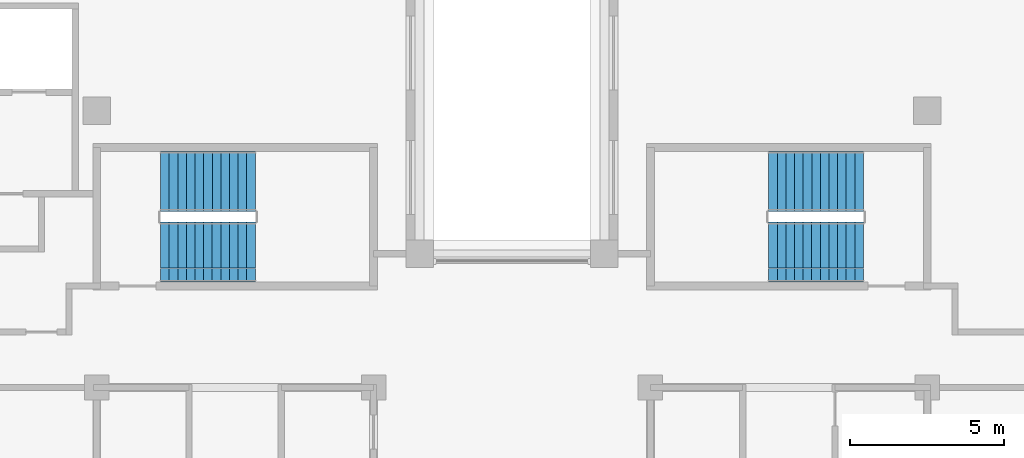
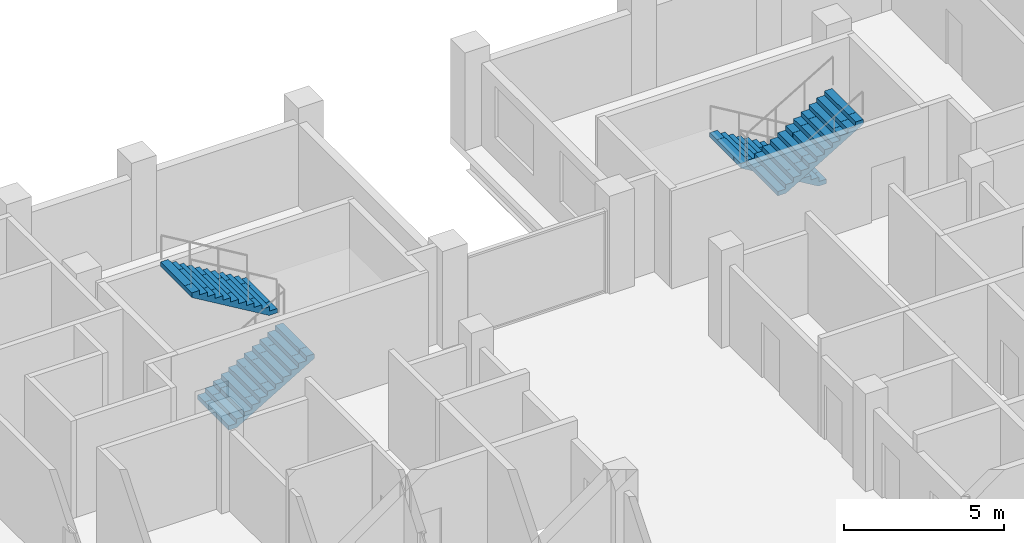
# One storey, part 12 of 13: 4 stair flights, 2 elements without a shape of their own.
"""IFC4 building model written with IfcOpenShell, lengths in metres."""

from ifc_helpers import new_model, si_unit, direction, frame, origin, place, context, subcontext, project, spatial, polyline, outline, extrude, material, type_object, element, aggregate, save


model = new_model("IFC4")

# Units and contexts
model_context = context("Model", 3, precision=1e-05, world=origin(), true_north=direction((0.0, 1.0)))
body_context = subcontext(model_context, "Body", "Model", "MODEL_VIEW")
ifc_project = project(units=[si_unit("LENGTHUNIT", "METRE"), si_unit("AREAUNIT", "SQUARE_METRE"), si_unit("VOLUMEUNIT", "CUBIC_METRE"), si_unit("PLANEANGLEUNIT", "RADIAN"), si_unit("MASSUNIT", "GRAM", prefix="KILO")], contexts=[model_context])

# Site, building, storey
site_placement = place(None, origin())
site = spatial("IfcSite", under=ifc_project, at=site_placement, CompositionType="ELEMENT")
building_placement = place(site_placement, origin())
building = spatial("IfcBuilding", under=site, at=building_placement, Name="Corbelhall Arena Tower", CompositionType="ELEMENT")
storey_placement = place(building_placement, frame((0.0, 0.0, 246.0)))
storey = spatial("IfcBuildingStorey", under=building, at=storey_placement, Name="L52", CompositionType="ELEMENT", Elevation=246.0)

# Stair, stair flights
ifc_material = material(Name="Concrete C40/50", Category="concrete")
stair_type = type_object("IfcStairType", Name="IN-ST-TOWER", PredefinedType="HALF_TURN_STAIR", material=ifc_material)
stair_1_placement = place(storey_placement, origin())
stair_1 = element("IfcStair", 1, at=stair_1_placement, inside=storey, type_object=stair_type, Name="L52 Exit stair ST1", PredefinedType="HALF_TURN_STAIR")
stair_flight_type = type_object("IfcStairFlightType", Name="IN-SFL-RC", PredefinedType="STRAIGHT", material=ifc_material)
stair_flight_1_placement = place(storey_placement, frame((-11.425048828125, 13.39990234375, 0.0), z_axis=(0.0, 0.0, 1.0), x_axis=(1.0, 0.0, 0.0)))
stair_flight_1 = element("IfcStairFlight", 2, at=stair_flight_1_placement, type_object=stair_flight_type, Name="ST1 flight 1", NumberOfRisers=12, NumberOfTreads=11, PredefinedType="STRAIGHT", RiserHeight=0.166666667, TreadLength=0.28, context=body_context, shape_type="SweptSolid", body=[
    extrude(outline(polyline([(0.0, 0.0), (0.0, 0.166748046875), (0.280029296875, 0.166748046875), (0.280029296875, 0.333251953125), (0.56005859375, 0.333251953125), (0.56005859375, 0.5), (0.840087890625, 0.5), (0.840087890625, 0.666748046875), (1.1201171875, 0.666748046875), (1.1201171875, 0.833251953125), (1.39990234375, 0.833251953125), (1.39990234375, 1.0), (1.679931640625, 1.0), (1.679931640625, 1.166748046875), (1.9599609375, 1.166748046875), (1.9599609375, 1.333251953125), (2.239990234375, 1.333251953125), (2.239990234375, 1.5), (2.52001953125, 1.5), (2.52001953125, 1.666748046875), (2.800048828125, 1.666748046875), (2.800048828125, 1.833251953125), (3.080078125, 1.833251953125), (3.080078125, 2.0), (3.080078125, 1.658935546875), (0.29296875, 0.0), (0.0, 0.0)])), frame((0.0, 0.97509765625, 0.0), z_axis=(0.0, -1.0, 0.0), x_axis=(1.0, 0.0, 0.0)), (0.0, 0.0, 1.0), 0.449951171875),
    extrude(outline(polyline([(0.0, 0.0), (0.0, 0.166748046875), (0.280029296875, 0.166748046875), (0.280029296875, 0.333251953125), (0.56005859375, 0.333251953125), (0.56005859375, 0.5), (0.840087890625, 0.5), (0.840087890625, 0.666748046875), (1.1201171875, 0.666748046875), (1.1201171875, 0.833251953125), (1.39990234375, 0.833251953125), (1.39990234375, 1.0), (1.679931640625, 1.0), (1.679931640625, 1.166748046875), (1.9599609375, 1.166748046875), (1.9599609375, 1.333251953125), (2.239990234375, 1.333251953125), (2.239990234375, 1.5), (2.52001953125, 1.5), (2.52001953125, 1.666748046875), (2.800048828125, 1.666748046875), (2.800048828125, 1.833251953125), (3.080078125, 1.833251953125), (3.080078125, 2.0), (3.080078125, 1.658935546875), (0.29296875, 0.0), (0.0, 0.0)])), frame((0.0, 0.52099609375, 0.0), z_axis=(0.0, -1.0, 0.0), x_axis=(1.0, 0.0, 0.0)), (0.0, 0.0, 1.0), 1.0419921875),
    extrude(outline(polyline([(0.0, 0.0), (0.0, 0.166748046875), (0.280029296875, 0.166748046875), (0.280029296875, 0.333251953125), (0.56005859375, 0.333251953125), (0.56005859375, 0.5), (0.840087890625, 0.5), (0.840087890625, 0.666748046875), (1.1201171875, 0.666748046875), (1.1201171875, 0.833251953125), (1.39990234375, 0.833251953125), (1.39990234375, 1.0), (1.679931640625, 1.0), (1.679931640625, 1.166748046875), (1.9599609375, 1.166748046875), (1.9599609375, 1.333251953125), (2.239990234375, 1.333251953125), (2.239990234375, 1.5), (2.52001953125, 1.5), (2.52001953125, 1.666748046875), (2.800048828125, 1.666748046875), (2.800048828125, 1.833251953125), (3.080078125, 1.833251953125), (3.080078125, 2.0), (3.080078125, 1.658935546875), (0.29296875, 0.0), (0.0, 0.0)])), frame((0.0, -0.52490234375, 0.0), z_axis=(0.0, -1.0, 0.0), x_axis=(1.0, 0.0, 0.0)), (0.0, 0.0, 1.0), 0.449951171875),
])
stair_flight_2_placement = place(storey_placement, frame((-8.344970703125, 15.699951171875, 2.0), z_axis=(0.0, 0.0, 1.0), x_axis=(-1.0, 0.0, 0.0)))
stair_flight_2 = element("IfcStairFlight", 3, at=stair_flight_2_placement, type_object=stair_flight_type, Name="ST1 flight 2", NumberOfRisers=12, NumberOfTreads=11, PredefinedType="STRAIGHT", RiserHeight=0.166666667, TreadLength=0.28, context=body_context, shape_type="SweptSolid", body=[
    extrude(outline(polyline([(0.0, 0.0), (0.0, 0.166748046875), (0.280029296875, 0.166748046875), (0.280029296875, 0.333251953125), (0.56005859375, 0.333251953125), (0.56005859375, 0.5), (0.840087890625, 0.5), (0.840087890625, 0.666748046875), (1.1201171875, 0.666748046875), (1.1201171875, 0.833251953125), (1.39990234375, 0.833251953125), (1.39990234375, 1.0), (1.679931640625, 1.0), (1.679931640625, 1.166748046875), (1.9599609375, 1.166748046875), (1.9599609375, 1.333251953125), (2.239990234375, 1.333251953125), (2.239990234375, 1.5), (2.52001953125, 1.5), (2.52001953125, 1.666748046875), (2.800048828125, 1.666748046875), (2.800048828125, 1.833251953125), (3.080078125, 1.833251953125), (3.080078125, 2.0), (3.080078125, 1.658935546875), (0.29296875, 0.0), (0.0, 0.0)])), frame((0.0, 0.97509765625, 0.0), z_axis=(0.0, -1.0, 0.0), x_axis=(1.0, 0.0, 0.0)), (0.0, 0.0, 1.0), 0.449951171875),
    extrude(outline(polyline([(0.0, 0.0), (0.0, 0.166748046875), (0.280029296875, 0.166748046875), (0.280029296875, 0.333251953125), (0.56005859375, 0.333251953125), (0.56005859375, 0.5), (0.840087890625, 0.5), (0.840087890625, 0.666748046875), (1.1201171875, 0.666748046875), (1.1201171875, 0.833251953125), (1.39990234375, 0.833251953125), (1.39990234375, 1.0), (1.679931640625, 1.0), (1.679931640625, 1.166748046875), (1.9599609375, 1.166748046875), (1.9599609375, 1.333251953125), (2.239990234375, 1.333251953125), (2.239990234375, 1.5), (2.52001953125, 1.5), (2.52001953125, 1.666748046875), (2.800048828125, 1.666748046875), (2.800048828125, 1.833251953125), (3.080078125, 1.833251953125), (3.080078125, 2.0), (3.080078125, 1.658935546875), (0.29296875, 0.0), (0.0, 0.0)])), frame((0.0, 0.52099609375, 0.0), z_axis=(0.0, -1.0, 0.0), x_axis=(1.0, 0.0, 0.0)), (0.0, 0.0, 1.0), 1.0419921875),
    extrude(outline(polyline([(0.0, 0.0), (0.0, 0.166748046875), (0.280029296875, 0.166748046875), (0.280029296875, 0.333251953125), (0.56005859375, 0.333251953125), (0.56005859375, 0.5), (0.840087890625, 0.5), (0.840087890625, 0.666748046875), (1.1201171875, 0.666748046875), (1.1201171875, 0.833251953125), (1.39990234375, 0.833251953125), (1.39990234375, 1.0), (1.679931640625, 1.0), (1.679931640625, 1.166748046875), (1.9599609375, 1.166748046875), (1.9599609375, 1.333251953125), (2.239990234375, 1.333251953125), (2.239990234375, 1.5), (2.52001953125, 1.5), (2.52001953125, 1.666748046875), (2.800048828125, 1.666748046875), (2.800048828125, 1.833251953125), (3.080078125, 1.833251953125), (3.080078125, 2.0), (3.080078125, 1.658935546875), (0.29296875, 0.0), (0.0, 0.0)])), frame((0.0, -0.52490234375, 0.0), z_axis=(0.0, -1.0, 0.0), x_axis=(1.0, 0.0, 0.0)), (0.0, 0.0, 1.0), 0.449951171875),
])
aggregate(stair_1, [stair_flight_1, stair_flight_2])

stair_2_placement = place(storey_placement, origin())
stair_2 = element("IfcStair", 4, at=stair_2_placement, inside=storey, type_object=stair_type, Name="L52 Exit stair ST3", PredefinedType="HALF_TURN_STAIR")
stair_flight_3_placement = place(storey_placement, frame((11.425048828125, 15.699951171875, 0.0), z_axis=(0.0, 0.0, 1.0), x_axis=(-1.0, 0.0, 0.0)))
stair_flight_3 = element("IfcStairFlight", 5, at=stair_flight_3_placement, type_object=stair_flight_type, Name="ST3 flight 1", NumberOfRisers=12, NumberOfTreads=11, PredefinedType="STRAIGHT", RiserHeight=0.166666667, TreadLength=0.28, context=body_context, shape_type="SweptSolid", body=[
    extrude(outline(polyline([(0.0, 0.0), (0.0, 0.166748046875), (0.280029296875, 0.166748046875), (0.280029296875, 0.333251953125), (0.56005859375, 0.333251953125), (0.56005859375, 0.5), (0.840087890625, 0.5), (0.840087890625, 0.666748046875), (1.1201171875, 0.666748046875), (1.1201171875, 0.833251953125), (1.39990234375, 0.833251953125), (1.39990234375, 1.0), (1.679931640625, 1.0), (1.679931640625, 1.166748046875), (1.9599609375, 1.166748046875), (1.9599609375, 1.333251953125), (2.239990234375, 1.333251953125), (2.239990234375, 1.5), (2.52001953125, 1.5), (2.52001953125, 1.666748046875), (2.800048828125, 1.666748046875), (2.800048828125, 1.833251953125), (3.080078125, 1.833251953125), (3.080078125, 2.0), (3.080078125, 1.658935546875), (0.29296875, 0.0), (0.0, 0.0)])), frame((0.0, 0.97509765625, 0.0), z_axis=(0.0, -1.0, 0.0), x_axis=(1.0, 0.0, 0.0)), (0.0, 0.0, 1.0), 0.449951171875),
    extrude(outline(polyline([(0.0, 0.0), (0.0, 0.166748046875), (0.280029296875, 0.166748046875), (0.280029296875, 0.333251953125), (0.56005859375, 0.333251953125), (0.56005859375, 0.5), (0.840087890625, 0.5), (0.840087890625, 0.666748046875), (1.1201171875, 0.666748046875), (1.1201171875, 0.833251953125), (1.39990234375, 0.833251953125), (1.39990234375, 1.0), (1.679931640625, 1.0), (1.679931640625, 1.166748046875), (1.9599609375, 1.166748046875), (1.9599609375, 1.333251953125), (2.239990234375, 1.333251953125), (2.239990234375, 1.5), (2.52001953125, 1.5), (2.52001953125, 1.666748046875), (2.800048828125, 1.666748046875), (2.800048828125, 1.833251953125), (3.080078125, 1.833251953125), (3.080078125, 2.0), (3.080078125, 1.658935546875), (0.29296875, 0.0), (0.0, 0.0)])), frame((0.0, 0.52099609375, 0.0), z_axis=(0.0, -1.0, 0.0), x_axis=(1.0, 0.0, 0.0)), (0.0, 0.0, 1.0), 1.0419921875),
    extrude(outline(polyline([(0.0, 0.0), (0.0, 0.166748046875), (0.280029296875, 0.166748046875), (0.280029296875, 0.333251953125), (0.56005859375, 0.333251953125), (0.56005859375, 0.5), (0.840087890625, 0.5), (0.840087890625, 0.666748046875), (1.1201171875, 0.666748046875), (1.1201171875, 0.833251953125), (1.39990234375, 0.833251953125), (1.39990234375, 1.0), (1.679931640625, 1.0), (1.679931640625, 1.166748046875), (1.9599609375, 1.166748046875), (1.9599609375, 1.333251953125), (2.239990234375, 1.333251953125), (2.239990234375, 1.5), (2.52001953125, 1.5), (2.52001953125, 1.666748046875), (2.800048828125, 1.666748046875), (2.800048828125, 1.833251953125), (3.080078125, 1.833251953125), (3.080078125, 2.0), (3.080078125, 1.658935546875), (0.29296875, 0.0), (0.0, 0.0)])), frame((0.0, -0.52490234375, 0.0), z_axis=(0.0, -1.0, 0.0), x_axis=(1.0, 0.0, 0.0)), (0.0, 0.0, 1.0), 0.449951171875),
])
stair_flight_4_placement = place(storey_placement, frame((8.344970703125, 13.39990234375, 2.0), z_axis=(0.0, 0.0, 1.0), x_axis=(1.0, 0.0, 0.0)))
stair_flight_4 = element("IfcStairFlight", 6, at=stair_flight_4_placement, type_object=stair_flight_type, Name="ST3 flight 2", NumberOfRisers=12, NumberOfTreads=11, PredefinedType="STRAIGHT", RiserHeight=0.166666667, TreadLength=0.28, context=body_context, shape_type="SweptSolid", body=[
    extrude(outline(polyline([(0.0, 0.0), (0.0, 0.166748046875), (0.280029296875, 0.166748046875), (0.280029296875, 0.333251953125), (0.56005859375, 0.333251953125), (0.56005859375, 0.5), (0.840087890625, 0.5), (0.840087890625, 0.666748046875), (1.1201171875, 0.666748046875), (1.1201171875, 0.833251953125), (1.39990234375, 0.833251953125), (1.39990234375, 1.0), (1.679931640625, 1.0), (1.679931640625, 1.166748046875), (1.9599609375, 1.166748046875), (1.9599609375, 1.333251953125), (2.239990234375, 1.333251953125), (2.239990234375, 1.5), (2.52001953125, 1.5), (2.52001953125, 1.666748046875), (2.800048828125, 1.666748046875), (2.800048828125, 1.833251953125), (3.080078125, 1.833251953125), (3.080078125, 2.0), (3.080078125, 1.658935546875), (0.29296875, 0.0), (0.0, 0.0)])), frame((0.0, 0.97509765625, 0.0), z_axis=(0.0, -1.0, 0.0), x_axis=(1.0, 0.0, 0.0)), (0.0, 0.0, 1.0), 0.449951171875),
    extrude(outline(polyline([(0.0, 0.0), (0.0, 0.166748046875), (0.280029296875, 0.166748046875), (0.280029296875, 0.333251953125), (0.56005859375, 0.333251953125), (0.56005859375, 0.5), (0.840087890625, 0.5), (0.840087890625, 0.666748046875), (1.1201171875, 0.666748046875), (1.1201171875, 0.833251953125), (1.39990234375, 0.833251953125), (1.39990234375, 1.0), (1.679931640625, 1.0), (1.679931640625, 1.166748046875), (1.9599609375, 1.166748046875), (1.9599609375, 1.333251953125), (2.239990234375, 1.333251953125), (2.239990234375, 1.5), (2.52001953125, 1.5), (2.52001953125, 1.666748046875), (2.800048828125, 1.666748046875), (2.800048828125, 1.833251953125), (3.080078125, 1.833251953125), (3.080078125, 2.0), (3.080078125, 1.658935546875), (0.29296875, 0.0), (0.0, 0.0)])), frame((0.0, 0.52099609375, 0.0), z_axis=(0.0, -1.0, 0.0), x_axis=(1.0, 0.0, 0.0)), (0.0, 0.0, 1.0), 1.0419921875),
    extrude(outline(polyline([(0.0, 0.0), (0.0, 0.166748046875), (0.280029296875, 0.166748046875), (0.280029296875, 0.333251953125), (0.56005859375, 0.333251953125), (0.56005859375, 0.5), (0.840087890625, 0.5), (0.840087890625, 0.666748046875), (1.1201171875, 0.666748046875), (1.1201171875, 0.833251953125), (1.39990234375, 0.833251953125), (1.39990234375, 1.0), (1.679931640625, 1.0), (1.679931640625, 1.166748046875), (1.9599609375, 1.166748046875), (1.9599609375, 1.333251953125), (2.239990234375, 1.333251953125), (2.239990234375, 1.5), (2.52001953125, 1.5), (2.52001953125, 1.666748046875), (2.800048828125, 1.666748046875), (2.800048828125, 1.833251953125), (3.080078125, 1.833251953125), (3.080078125, 2.0), (3.080078125, 1.658935546875), (0.29296875, 0.0), (0.0, 0.0)])), frame((0.0, -0.52490234375, 0.0), z_axis=(0.0, -1.0, 0.0), x_axis=(1.0, 0.0, 0.0)), (0.0, 0.0, 1.0), 0.449951171875),
])
aggregate(stair_2, [stair_flight_3, stair_flight_4])

save(model, "model.ifc")
